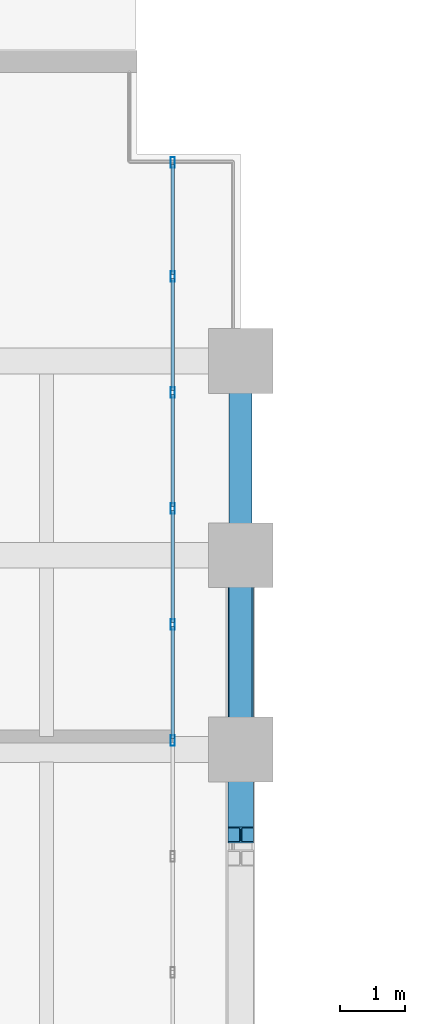
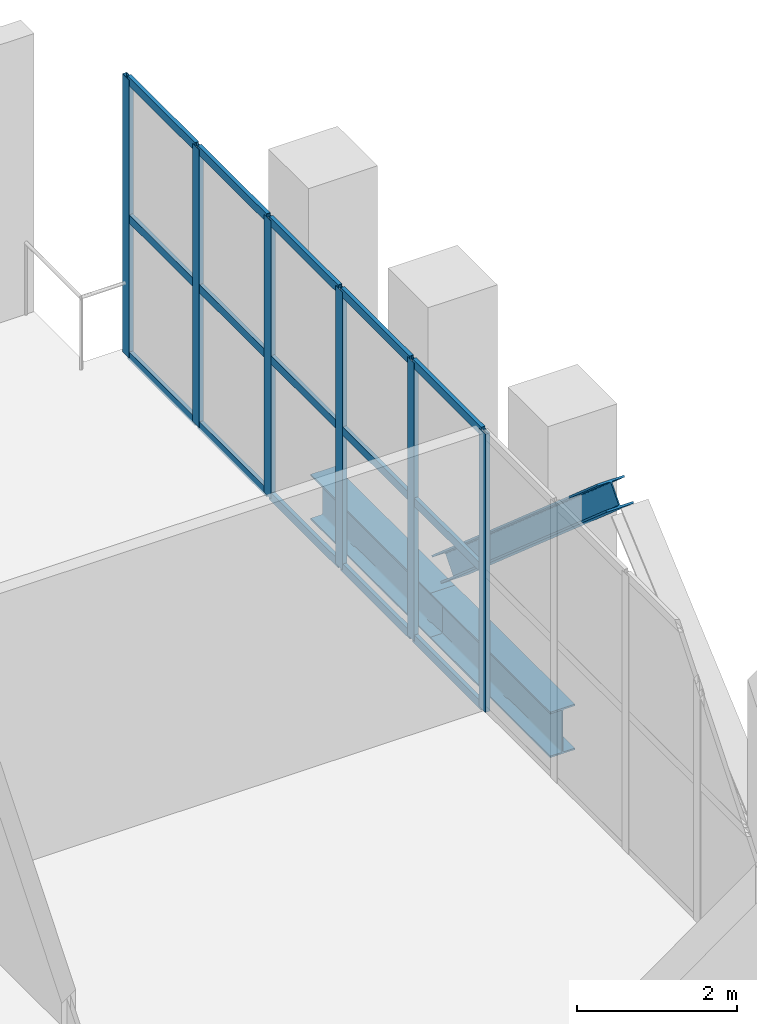
# One storey, part 20 of 27: 22 members, 2 beams, 1 element without a shape of its own.
"""IFC4 building model written with IfcOpenShell, lengths in metres."""

from ifc_helpers import new_model, si_unit, direction, frame, origin, origin_2d, place, context, subcontext, project, spatial, hollow_rectangle, i_section, extrude, material, layer, layer_set, material_profile, profile_set, type_object, element, aggregate, save


model = new_model("IFC4")

# Units and contexts
model_context = context("Model", 3, precision=1e-05, world=origin(), true_north=direction((0.0, 1.0)))
body_context = subcontext(model_context, "Body", "Model", "MODEL_VIEW")
ifc_project = project(units=[si_unit("LENGTHUNIT", "METRE"), si_unit("AREAUNIT", "SQUARE_METRE"), si_unit("VOLUMEUNIT", "CUBIC_METRE"), si_unit("PLANEANGLEUNIT", "RADIAN"), si_unit("MASSUNIT", "GRAM", prefix="KILO")], contexts=[model_context])

# Site, building, storey
site_placement = place(None, origin())
site = spatial("IfcSite", under=ifc_project, at=site_placement, CompositionType="ELEMENT")
building_placement = place(site_placement, origin())
building = spatial("IfcBuilding", under=site, at=building_placement, Name="Mawjdan Bourse Tower", CompositionType="ELEMENT")
storey_placement = place(building_placement, frame((0.0, 0.0, 155.699951171875)))
storey = spatial("IfcBuildingStorey", under=building, at=storey_placement, Name="L37", CompositionType="ELEMENT", Elevation=155.699951171875)

# Member
ifc_material_1 = material(Name="Structural Steel S460", Category="steel")
ifc_material_profile_1 = material_profile(ifc_material_1, i_section(OverallWidth=0.39404296875, OverallDepth=0.375, WebThickness=0.017333984375, FlangeThickness=0.027587890625, FilletRadius=0.022216796875, at=origin_2d()), Name="W14X145")
ifc_profile_set_1 = profile_set([ifc_material_profile_1], Name="Structural Steel S460")
member_type_1 = type_object("IfcMemberType", Name="BRC-W14X145", PredefinedType="BRACE", material=ifc_profile_set_1)
member_1_placement = place(storey_placement, frame((24.0, 34.679931640625, 3.800048828125), z_axis=(0.0, 0.754607438139, -0.656176511546), x_axis=(-1.0, 0.0, 0.0)))
element("IfcMember", 1, at=member_1_placement, inside=storey, type_object=member_type_1, Name="L37 North Wing Perimeter Belt Truss Diagonal 4", PredefinedType="BRACE", context=body_context, shape_type="SweptSolid", body=[
    extrude(i_section(OverallWidth=0.39404296875, OverallDepth=0.375, WebThickness=0.017333984375, FlangeThickness=0.027587890625, FilletRadius=0.022216796875, at=origin_2d()), origin(), (0.0, 0.0, 1.0), 5.486572265625),
])

# Curtain wall, members
ifc_material_2 = material(Name="Thermally Broken Aluminium and Solar Glass", Category="aluminium")
ifc_layer = layer(ifc_material_2, 0.219970703125)
ifc_layer_set = layer_set([ifc_layer], Name="Thermally Broken Aluminium and Solar Glass")
curtain_wall_type = type_object("IfcCurtainWallType", Name="CW-RFG", PredefinedType="USERDEFINED", material=ifc_layer_set)
curtain_wall_placement = place(storey_placement, origin())
curtain_wall = element("IfcCurtainWall", 2, at=curtain_wall_placement, inside=storey, type_object=curtain_wall_type, Name="L37 Refuge Band North-Wing Louvre Curtain Wall", ObjectType="REFUGE BAND LOUVRE SCREEN", PredefinedType="USERDEFINED")
ifc_material_3 = material(Name="Thermally Broken Anodised Aluminium", Category="aluminium")
ifc_material_profile_2 = material_profile(ifc_material_3, hollow_rectangle(XDim=0.06494140625, YDim=0.1650390625, WallThickness=0.00390625, at=origin_2d()), Name="ALU-MUL-165X65")
ifc_profile_set_2 = profile_set([ifc_material_profile_2], Name="Thermally Broken Anodised Aluminium")
member_type_2 = type_object("IfcMemberType", Name="MUL-ALU-MUL-165X65", PredefinedType="MULLION", material=ifc_profile_set_2)
member_2_placement = place(storey_placement, frame((22.949951171875, 36.138427734375, 0.0), z_axis=(0.0, 0.0, 1.0), x_axis=(-1.0, 0.0, 0.0)))
member_2 = element("IfcMember", 3, at=member_2_placement, type_object=member_type_2, Name="CW-RFG-L37-RFG-W mullion 9", PredefinedType="MULLION", context=body_context, shape_type="SweptSolid", body=[
    extrude(hollow_rectangle(XDim=0.06494140625, YDim=0.1650390625, WallThickness=0.00390625, at=origin_2d()), origin(), (0.0, 0.0, 1.0), 4.25),
])
member_3_placement = place(storey_placement, frame((22.949951171875, 37.9306640625, 0.0), z_axis=(0.0, 0.0, 1.0), x_axis=(-1.0, 0.0, 0.0)))
member_3 = element("IfcMember", 4, at=member_3_placement, type_object=member_type_2, Name="CW-RFG-L37-RFG-W mullion 10", PredefinedType="MULLION", context=body_context, shape_type="SweptSolid", body=[
    extrude(hollow_rectangle(XDim=0.06494140625, YDim=0.1650390625, WallThickness=0.00390625, at=origin_2d()), origin(), (0.0, 0.0, 1.0), 4.25),
])
member_4_placement = place(storey_placement, frame((22.949951171875, 39.72314453125, 0.0), z_axis=(0.0, 0.0, 1.0), x_axis=(-1.0, 0.0, 0.0)))
member_4 = element("IfcMember", 5, at=member_4_placement, type_object=member_type_2, Name="CW-RFG-L37-RFG-W mullion 11", PredefinedType="MULLION", context=body_context, shape_type="SweptSolid", body=[
    extrude(hollow_rectangle(XDim=0.06494140625, YDim=0.1650390625, WallThickness=0.00390625, at=origin_2d()), origin(), (0.0, 0.0, 1.0), 4.25),
])
member_5_placement = place(storey_placement, frame((22.949951171875, 41.515380859375, 0.0), z_axis=(0.0, 0.0, 1.0), x_axis=(-1.0, 0.0, 0.0)))
member_5 = element("IfcMember", 6, at=member_5_placement, type_object=member_type_2, Name="CW-RFG-L37-RFG-W mullion 12", PredefinedType="MULLION", context=body_context, shape_type="SweptSolid", body=[
    extrude(hollow_rectangle(XDim=0.06494140625, YDim=0.1650390625, WallThickness=0.00390625, at=origin_2d()), origin(), (0.0, 0.0, 1.0), 4.25),
])
member_6_placement = place(storey_placement, frame((22.949951171875, 43.3076171875, 0.0), z_axis=(0.0, 0.0, 1.0), x_axis=(-1.0, 0.0, 0.0)))
member_6 = element("IfcMember", 7, at=member_6_placement, type_object=member_type_2, Name="CW-RFG-L37-RFG-W mullion 13", PredefinedType="MULLION", context=body_context, shape_type="SweptSolid", body=[
    extrude(hollow_rectangle(XDim=0.06494140625, YDim=0.1650390625, WallThickness=0.00390625, at=origin_2d()), origin(), (0.0, 0.0, 1.0), 4.25),
])
member_7_placement = place(storey_placement, frame((22.949951171875, 45.0673828125, 0.0), z_axis=(0.0, 0.0, 1.0), x_axis=(-1.0, 0.0, 0.0)))
member_7 = element("IfcMember", 8, at=member_7_placement, type_object=member_type_2, Name="CW-RFG-L37-RFG-W mullion 14", PredefinedType="MULLION", context=body_context, shape_type="SweptSolid", body=[
    extrude(hollow_rectangle(XDim=0.06494140625, YDim=0.1650390625, WallThickness=0.00390625, at=origin_2d()), origin(), (0.0, 0.0, 1.0), 4.25),
])

# Beams
ifc_material_4 = material(Name="Structural Steel S355", Category="steel")
ifc_material_profile_3 = material_profile(ifc_material_4, i_section(OverallWidth=0.35498046875, OverallDepth=0.696044921875, WebThickness=0.015380859375, FlangeThickness=0.02490234375, FilletRadius=0.019775390625, at=origin_2d()), Name="W27X146")
ifc_profile_set_3 = profile_set([ifc_material_profile_3], Name="Structural Steel S355")
beam_type = type_object("IfcBeamType", Name="SPN-W27X146", PredefinedType="SPANDREL", material=ifc_profile_set_3)
for number, where, z_axis, x_axis, name in (
    (9, (24.0, 36.0, -0.6279296875), (0.0, 1.0, 0.0), (-1.0, 0.0, 0.0), "L37 North Wing Spandrel 068"),
    (10, (24.0, 39.0, -0.6279296875), (0.0, 1.0, 0.0), (-1.0, 0.0, 0.0), "L37 North Wing Spandrel 069"),
):
    element("IfcBeam", number, at=place(storey_placement, frame(where, z_axis=z_axis, x_axis=x_axis)), inside=storey, type_object=beam_type, Name=name, PredefinedType="SPANDREL", context=body_context, shape_type="SweptSolid", body=[
        extrude(i_section(OverallWidth=0.35498046875, OverallDepth=0.696044921875, WebThickness=0.015380859375, FlangeThickness=0.02490234375, FilletRadius=0.019775390625, at=origin_2d()), origin(), (0.0, 0.0, 1.0), 3.0),
    ])

# Member
ifc_material_profile_4 = material_profile(ifc_material_3, hollow_rectangle(XDim=0.054931640625, YDim=0.1298828125, WallThickness=0.00341796875, at=origin_2d()), Name="ALU-TRN-130X55")
ifc_profile_set_4 = profile_set([ifc_material_profile_4], Name="Thermally Broken Anodised Aluminium")
member_type_3 = type_object("IfcMemberType", Name="TRN-ALU-TRN-130X55", PredefinedType="USERDEFINED", material=ifc_profile_set_4)
member_8_placement = place(storey_placement, frame((22.949951171875, 36.1708984375, 0.027587890625), z_axis=(0.0, 1.0, 0.0), x_axis=(-1.0, 0.0, 0.0)))
member_8 = element("IfcMember", 11, at=member_8_placement, type_object=member_type_3, Name="CW-RFG-L37-RFG-W transom 9.1", ObjectType="TRANSOM", PredefinedType="USERDEFINED", context=body_context, shape_type="SweptSolid", body=[
    extrude(hollow_rectangle(XDim=0.054931640625, YDim=0.1298828125, WallThickness=0.00341796875, at=origin_2d()), origin(), (0.0, 0.0, 1.0), 1.727294921875),
])

member_9_placement = place(storey_placement, frame((22.949951171875, 36.1708984375, 2.125), z_axis=(0.0, 1.0, 0.0), x_axis=(-1.0, 0.0, 0.0)))
member_9 = element("IfcMember", 12, at=member_9_placement, type_object=member_type_3, Name="CW-RFG-L37-RFG-W transom 9.2", ObjectType="TRANSOM", PredefinedType="USERDEFINED", context=body_context, shape_type="SweptSolid", body=[
    extrude(hollow_rectangle(XDim=0.054931640625, YDim=0.1298828125, WallThickness=0.00341796875, at=origin_2d()), origin(), (0.0, 0.0, 1.0), 1.727294921875),
])

member_10_placement = place(storey_placement, frame((22.949951171875, 36.1708984375, 4.22265625), z_axis=(0.0, 1.0, 0.0), x_axis=(-1.0, 0.0, 0.0)))
member_10 = element("IfcMember", 13, at=member_10_placement, type_object=member_type_3, Name="CW-RFG-L37-RFG-W transom 9.3", ObjectType="TRANSOM", PredefinedType="USERDEFINED", context=body_context, shape_type="SweptSolid", body=[
    extrude(hollow_rectangle(XDim=0.054931640625, YDim=0.1298828125, WallThickness=0.00341796875, at=origin_2d()), origin(), (0.0, 0.0, 1.0), 1.727294921875),
])

member_11_placement = place(storey_placement, frame((22.949951171875, 37.96337890625, 0.027587890625), z_axis=(0.0, 1.0, 0.0), x_axis=(-1.0, 0.0, 0.0)))
member_11 = element("IfcMember", 14, at=member_11_placement, type_object=member_type_3, Name="CW-RFG-L37-RFG-W transom 10.1", ObjectType="TRANSOM", PredefinedType="USERDEFINED", context=body_context, shape_type="SweptSolid", body=[
    extrude(hollow_rectangle(XDim=0.054931640625, YDim=0.1298828125, WallThickness=0.00341796875, at=origin_2d()), origin(), (0.0, 0.0, 1.0), 1.727294921875),
])

member_12_placement = place(storey_placement, frame((22.949951171875, 37.96337890625, 2.125), z_axis=(0.0, 1.0, 0.0), x_axis=(-1.0, 0.0, 0.0)))
member_12 = element("IfcMember", 15, at=member_12_placement, type_object=member_type_3, Name="CW-RFG-L37-RFG-W transom 10.2", ObjectType="TRANSOM", PredefinedType="USERDEFINED", context=body_context, shape_type="SweptSolid", body=[
    extrude(hollow_rectangle(XDim=0.054931640625, YDim=0.1298828125, WallThickness=0.00341796875, at=origin_2d()), origin(), (0.0, 0.0, 1.0), 1.727294921875),
])

member_13_placement = place(storey_placement, frame((22.949951171875, 37.96337890625, 4.22265625), z_axis=(0.0, 1.0, 0.0), x_axis=(-1.0, 0.0, 0.0)))
member_13 = element("IfcMember", 16, at=member_13_placement, type_object=member_type_3, Name="CW-RFG-L37-RFG-W transom 10.3", ObjectType="TRANSOM", PredefinedType="USERDEFINED", context=body_context, shape_type="SweptSolid", body=[
    extrude(hollow_rectangle(XDim=0.054931640625, YDim=0.1298828125, WallThickness=0.00341796875, at=origin_2d()), origin(), (0.0, 0.0, 1.0), 1.727294921875),
])

member_14_placement = place(storey_placement, frame((22.949951171875, 39.755615234375, 0.027587890625), z_axis=(0.0, 1.0, 0.0), x_axis=(-1.0, 0.0, 0.0)))
member_14 = element("IfcMember", 17, at=member_14_placement, type_object=member_type_3, Name="CW-RFG-L37-RFG-W transom 11.1", ObjectType="TRANSOM", PredefinedType="USERDEFINED", context=body_context, shape_type="SweptSolid", body=[
    extrude(hollow_rectangle(XDim=0.054931640625, YDim=0.1298828125, WallThickness=0.00341796875, at=origin_2d()), origin(), (0.0, 0.0, 1.0), 1.727294921875),
])

member_15_placement = place(storey_placement, frame((22.949951171875, 39.755615234375, 2.125), z_axis=(0.0, 1.0, 0.0), x_axis=(-1.0, 0.0, 0.0)))
member_15 = element("IfcMember", 18, at=member_15_placement, type_object=member_type_3, Name="CW-RFG-L37-RFG-W transom 11.2", ObjectType="TRANSOM", PredefinedType="USERDEFINED", context=body_context, shape_type="SweptSolid", body=[
    extrude(hollow_rectangle(XDim=0.054931640625, YDim=0.1298828125, WallThickness=0.00341796875, at=origin_2d()), origin(), (0.0, 0.0, 1.0), 1.727294921875),
])

member_16_placement = place(storey_placement, frame((22.949951171875, 39.755615234375, 4.22265625), z_axis=(0.0, 1.0, 0.0), x_axis=(-1.0, 0.0, 0.0)))
member_16 = element("IfcMember", 19, at=member_16_placement, type_object=member_type_3, Name="CW-RFG-L37-RFG-W transom 11.3", ObjectType="TRANSOM", PredefinedType="USERDEFINED", context=body_context, shape_type="SweptSolid", body=[
    extrude(hollow_rectangle(XDim=0.054931640625, YDim=0.1298828125, WallThickness=0.00341796875, at=origin_2d()), origin(), (0.0, 0.0, 1.0), 1.727294921875),
])

member_17_placement = place(storey_placement, frame((22.949951171875, 41.5478515625, 0.027587890625), z_axis=(0.0, 1.0, 0.0), x_axis=(-1.0, 0.0, 0.0)))
member_17 = element("IfcMember", 20, at=member_17_placement, type_object=member_type_3, Name="CW-RFG-L37-RFG-W transom 12.1", ObjectType="TRANSOM", PredefinedType="USERDEFINED", context=body_context, shape_type="SweptSolid", body=[
    extrude(hollow_rectangle(XDim=0.054931640625, YDim=0.1298828125, WallThickness=0.00341796875, at=origin_2d()), origin(), (0.0, 0.0, 1.0), 1.727294921875),
])

member_18_placement = place(storey_placement, frame((22.949951171875, 41.5478515625, 2.125), z_axis=(0.0, 1.0, 0.0), x_axis=(-1.0, 0.0, 0.0)))
member_18 = element("IfcMember", 21, at=member_18_placement, type_object=member_type_3, Name="CW-RFG-L37-RFG-W transom 12.2", ObjectType="TRANSOM", PredefinedType="USERDEFINED", context=body_context, shape_type="SweptSolid", body=[
    extrude(hollow_rectangle(XDim=0.054931640625, YDim=0.1298828125, WallThickness=0.00341796875, at=origin_2d()), origin(), (0.0, 0.0, 1.0), 1.727294921875),
])

member_19_placement = place(storey_placement, frame((22.949951171875, 41.5478515625, 4.22265625), z_axis=(0.0, 1.0, 0.0), x_axis=(-1.0, 0.0, 0.0)))
member_19 = element("IfcMember", 22, at=member_19_placement, type_object=member_type_3, Name="CW-RFG-L37-RFG-W transom 12.3", ObjectType="TRANSOM", PredefinedType="USERDEFINED", context=body_context, shape_type="SweptSolid", body=[
    extrude(hollow_rectangle(XDim=0.054931640625, YDim=0.1298828125, WallThickness=0.00341796875, at=origin_2d()), origin(), (0.0, 0.0, 1.0), 1.727294921875),
])

member_20_placement = place(storey_placement, frame((22.949951171875, 43.340087890625, 0.027587890625), z_axis=(0.0, 1.0, 0.0), x_axis=(-1.0, 0.0, 0.0)))
member_20 = element("IfcMember", 23, at=member_20_placement, type_object=member_type_3, Name="CW-RFG-L37-RFG-W transom 13.1", ObjectType="TRANSOM", PredefinedType="USERDEFINED", context=body_context, shape_type="SweptSolid", body=[
    extrude(hollow_rectangle(XDim=0.054931640625, YDim=0.1298828125, WallThickness=0.00341796875, at=origin_2d()), origin(), (0.0, 0.0, 1.0), 1.69482421875),
])

member_21_placement = place(storey_placement, frame((22.949951171875, 43.340087890625, 2.125), z_axis=(0.0, 1.0, 0.0), x_axis=(-1.0, 0.0, 0.0)))
member_21 = element("IfcMember", 24, at=member_21_placement, type_object=member_type_3, Name="CW-RFG-L37-RFG-W transom 13.2", ObjectType="TRANSOM", PredefinedType="USERDEFINED", context=body_context, shape_type="SweptSolid", body=[
    extrude(hollow_rectangle(XDim=0.054931640625, YDim=0.1298828125, WallThickness=0.00341796875, at=origin_2d()), origin(), (0.0, 0.0, 1.0), 1.69482421875),
])

member_22_placement = place(storey_placement, frame((22.949951171875, 43.340087890625, 4.22265625), z_axis=(0.0, 1.0, 0.0), x_axis=(-1.0, 0.0, 0.0)))
member_22 = element("IfcMember", 25, at=member_22_placement, type_object=member_type_3, Name="CW-RFG-L37-RFG-W transom 13.3", ObjectType="TRANSOM", PredefinedType="USERDEFINED", context=body_context, shape_type="SweptSolid", body=[
    extrude(hollow_rectangle(XDim=0.054931640625, YDim=0.1298828125, WallThickness=0.00341796875, at=origin_2d()), origin(), (0.0, 0.0, 1.0), 1.69482421875),
])

aggregate(curtain_wall, [member_2, member_3, member_4, member_5, member_6, member_7, member_8, member_9, member_10, member_11, member_12, member_13, member_14, member_15, member_16, member_17, member_18, member_19, member_20, member_21, member_22])

save(model, "model.ifc")
